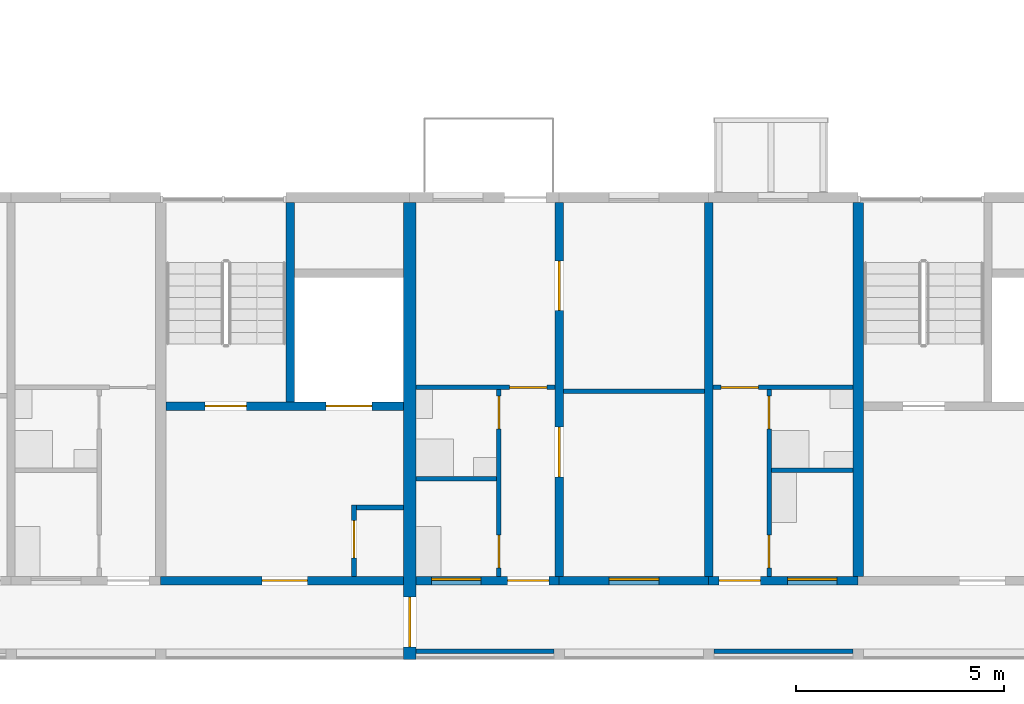
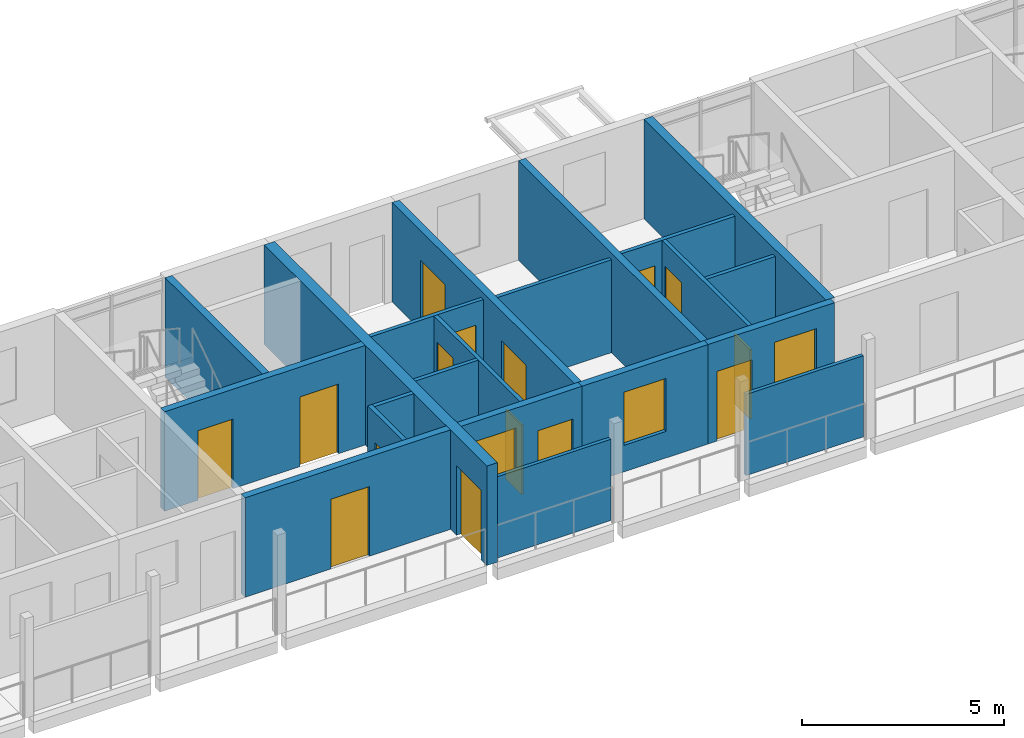
# One storey, part 36 of 78: 21 walls, 15 doors, 3 windows, 18 openings.
"""IFC4 building model written with IfcOpenShell, lengths in metres."""

from ifc_helpers import new_model, si_unit, direction, frame, frame_2d, origin, place, context, subcontext, project, spatial, rectangle, extrude, material, layer, layer_set, type_object, element, fill, save


model = new_model("IFC4")

# Units and contexts
model_context = context("Model", 3, precision=1e-05, world=origin(), true_north=direction((0.0, 1.0)))
body_context = subcontext(model_context, "Body", "Model", "MODEL_VIEW")
ifc_project = project(units=[si_unit("LENGTHUNIT", "METRE"), si_unit("AREAUNIT", "SQUARE_METRE"), si_unit("VOLUMEUNIT", "CUBIC_METRE"), si_unit("PLANEANGLEUNIT", "RADIAN"), si_unit("MASSUNIT", "GRAM", prefix="KILO")], contexts=[model_context])

# Site, building, storey
site_placement = place(None, origin())
site = spatial("IfcSite", under=ifc_project, at=site_placement, CompositionType="ELEMENT")
building_placement = place(site_placement, origin())
building = spatial("IfcBuilding", under=site, at=building_placement, Name="Ridgestep Commons", CompositionType="ELEMENT")
storey_placement = place(building_placement, frame((0.0, 0.0, 30.0)))
storey = spatial("IfcBuildingStorey", under=building, at=storey_placement, Name="L10", CompositionType="ELEMENT", Elevation=30.0)

# Wall
ifc_material_1 = material(Name="Concrete C30/37", Category="concrete")
ifc_layer_1 = layer(ifc_material_1, 0.25)
ifc_layer_set_1 = layer_set([ifc_layer_1], Name="Core cross wall 250")
wall_type_1 = type_object("IfcWallType", Name="Core cross wall 250", PredefinedType="SHEAR", material=ifc_layer_set_1)
wall_1_placement = place(storey_placement, frame((90.0, 13.75, 0.0), z_axis=(0.0, 0.0, 1.0), x_axis=(0.0, 1.0, 0.0)))
element("IfcWall", 1, at=wall_1_placement, inside=storey, type_object=wall_type_1, Name="Cross wall A-10-0900", PredefinedType="SHEAR", context=body_context, shape_type="SweptSolid", body=[
    extrude(rectangle(XDim=9.0, YDim=0.25, at=frame_2d((4.5, 0.0))), origin(), (0.0, 0.0, 1.0), 3.0),
])

# Wall, opening, door
ifc_material_2 = material(Name="Concrete C30/37", Category="concrete")
ifc_layer_2 = layer(ifc_material_2, 0.199951171875)
ifc_layer_set_2 = layer_set([ifc_layer_2], Name="Core south wall 200")
wall_type_2 = type_object("IfcWallType", Name="Core south wall 200", PredefinedType="SHEAR", material=ifc_layer_set_2)
wall_2_placement = place(storey_placement, frame((73.199951171875, 13.64990234375, 0.0), z_axis=(0.0, 0.0, 1.0), x_axis=(1.0, 0.0, 0.0)))
wall_2 = element("IfcWall", 2, at=wall_2_placement, inside=storey, type_object=wall_type_2, Name="Core south wall A4C L10", PredefinedType="SHEAR", context=body_context, shape_type="SweptSolid", body=[
    extrude(rectangle(XDim=5.85009765625, YDim=0.199951171875, at=frame_2d((2.925048828125, 0.0))), origin(), (0.0, 0.0, 1.0), 3.0),
])
opening_1_placement = place(wall_2_placement, frame((2.4375, 0.0, 0.0)))
opening_1 = element("IfcOpeningElement", 3, at=opening_1_placement, cuts=wall_2, Name="Opening A4C/10/1", PredefinedType="OPENING", context=body_context, shape_type="SweptSolid", body=[
    extrude(rectangle(XDim=1.10009765625, YDim=2.10009765625, at=frame_2d((0.550048828125, 1.050048828125))), frame((0.0, 0.10986328125, 0.0), z_axis=(0.0, -1.0, 0.0), x_axis=(1.0, 0.0, 0.0)), (0.0, 0.0, 1.0), 0.219970703125),
])
ifc_material_3 = material(Name="Steel fire door", Category="steel")
door_type_1 = type_object("IfcDoorType", Name="Lobby door 1100 x 2100 FD60", OperationType="NOTDEFINED", PredefinedType="DOOR", material=ifc_material_3)
door_1_placement = place(opening_1_placement, origin())
door_1 = element("IfcDoor", 4, at=door_1_placement, inside=storey, type_object=door_type_1, Name="Lobby door A4C/10/1", OperationType="SINGLE_SWING_LEFT", OverallHeight=2.10009765625, OverallWidth=1.10009765625, PredefinedType="DOOR", context=body_context, shape_type="SweptSolid", body=[
    extrude(rectangle(XDim=1.10009765625, YDim=2.10009765625, at=frame_2d((0.550048828125, 1.050048828125))), frame((0.0, 0.02490234375, 0.0), z_axis=(0.0, -1.0, 0.0), x_axis=(1.0, 0.0, 0.0)), (0.0, 0.0, 1.0), 0.050048828125),
])
fill(opening_1, door_1)

ifc_material_4 = material(Name="Concrete C30/37", Category="concrete")
ifc_layer_3 = layer(ifc_material_4, 0.1201171875)
ifc_layer_set_3 = layer_set([ifc_layer_3], Name="Core wall 120")
wall_type_3 = type_object("IfcWallType", Name="Core wall 120", PredefinedType="SHEAR", material=ifc_layer_set_3)
wall_3_placement = place(storey_placement, frame((77.860107421875, 13.75, 0.0), z_axis=(0.0, 0.0, 1.0), x_axis=(0.0, 1.0, 0.0)))
wall_3 = element("IfcWall", 5, at=wall_3_placement, inside=storey, type_object=wall_type_3, Name="Core riser w wall A4C L10", PredefinedType="SHEAR", context=body_context, shape_type="SweptSolid", body=[
    extrude(rectangle(XDim=1.719970703125, YDim=0.1201171875, at=frame_2d((0.85986328125, 0.0))), origin(), (0.0, 0.0, 1.0), 3.0),
])
opening_2_placement = place(wall_3_placement, frame((0.449951171875, 0.0, 0.0)))
opening_2 = element("IfcOpeningElement", 6, at=opening_2_placement, cuts=wall_3, Name="Opening A4C/10/4", PredefinedType="OPENING", context=body_context, shape_type="SweptSolid", body=[
    extrude(rectangle(XDim=0.89990234375, YDim=2.10009765625, at=frame_2d((0.449951171875, 1.050048828125))), frame((0.0, 0.070068359375, 0.0), z_axis=(0.0, -1.0, 0.0), x_axis=(1.0, 0.0, 0.0)), (0.0, 0.0, 1.0), 0.14013671875),
])
ifc_material_5 = material(Name="Steel fire door", Category="steel")
door_type_2 = type_object("IfcDoorType", Name="Riser door 900 x 2100 FD60", OperationType="NOTDEFINED", PredefinedType="DOOR", material=ifc_material_5)
door_2_placement = place(opening_2_placement, origin())
door_2 = element("IfcDoor", 7, at=door_2_placement, inside=storey, type_object=door_type_2, Name="Riser door A4C/10/4", OperationType="SINGLE_SWING_LEFT", OverallHeight=2.10009765625, OverallWidth=0.89990234375, PredefinedType="DOOR", context=body_context, shape_type="SweptSolid", body=[
    extrude(rectangle(XDim=0.89990234375, YDim=2.10009765625, at=frame_2d((0.449951171875, 1.050048828125))), frame((0.0, 0.02490234375, 0.0), z_axis=(0.0, -1.0, 0.0), x_axis=(1.0, 0.0, 0.0)), (0.0, 0.0, 1.0), 0.050048828125),
])
fill(opening_2, door_2)

# Wall
wall_4_placement = place(storey_placement, frame((77.919921875, 15.409912109375, 0.0), z_axis=(0.0, 0.0, 1.0), x_axis=(1.0, 0.0, 0.0)))
element("IfcWall", 8, at=wall_4_placement, inside=storey, type_object=wall_type_3, Name="Core riser n wall A4C L10", PredefinedType="SHEAR", context=body_context, shape_type="SweptSolid", body=[
    extrude(rectangle(XDim=1.130126953125, YDim=0.1201171875, at=frame_2d((0.56494140625, 0.0))), origin(), (0.0, 0.0, 1.0), 3.0),
])

# Wall, openings, doors
ifc_material_6 = material(Name="Concrete C30/37", Category="concrete")
ifc_layer_4 = layer(ifc_material_6, 0.199951171875)
ifc_layer_set_4 = layer_set([ifc_layer_4], Name="Core wall 200")
wall_type_4 = type_object("IfcWallType", Name="Core wall 200", PredefinedType="SHEAR", material=ifc_layer_set_4)
wall_5_placement = place(storey_placement, frame((73.324951171875, 17.85009765625, 0.0), z_axis=(0.0, 0.0, 1.0), x_axis=(1.0, 0.0, 0.0)))
wall_5 = element("IfcWall", 9, at=wall_5_placement, inside=storey, type_object=wall_type_4, Name="Core lobby wall A4C L10", PredefinedType="SHEAR", context=body_context, shape_type="SweptSolid", body=[
    extrude(rectangle(XDim=5.72509765625, YDim=0.199951171875, at=frame_2d((2.862548828125, 0.0))), origin(), (0.0, 0.0, 1.0), 3.0),
])
opening_3_placement = place(wall_5_placement, frame((0.949951171875, 0.0, 0.0)))
opening_3 = element("IfcOpeningElement", 10, at=opening_3_placement, cuts=wall_5, Name="Opening A4C/10/2", PredefinedType="OPENING", context=body_context, shape_type="SweptSolid", body=[
    extrude(rectangle(XDim=1.0, YDim=2.10009765625, at=frame_2d((0.5, 1.050048828125))), frame((0.0, 0.10986328125, 0.0), z_axis=(0.0, -1.0, 0.0), x_axis=(1.0, 0.0, 0.0)), (0.0, 0.0, 1.0), 0.219970703125),
])
opening_4_placement = place(wall_5_placement, frame((3.862548828125, 0.0, 0.0)))
opening_4 = element("IfcOpeningElement", 11, at=opening_4_placement, cuts=wall_5, Name="Opening A4C/10/3", PredefinedType="OPENING", context=body_context, shape_type="SweptSolid", body=[
    extrude(rectangle(XDim=1.10009765625, YDim=2.10009765625, at=frame_2d((0.550048828125, 1.050048828125))), frame((0.0, 0.10986328125, 0.0), z_axis=(0.0, -1.0, 0.0), x_axis=(1.0, 0.0, 0.0)), (0.0, 0.0, 1.0), 0.219970703125),
])
ifc_material_7 = material(Name="Stainless steel", Category="steel")
door_type_3 = type_object("IfcDoorType", Name="Lift landing door 1100 x 2100 FD60", OperationType="DOUBLE_DOOR_SLIDING", PredefinedType="DOOR", material=ifc_material_7)
door_3_placement = place(opening_4_placement, origin())
door_3 = element("IfcDoor", 12, at=door_3_placement, inside=storey, type_object=door_type_3, Name="Landing door LD A4C L10", OperationType="DOUBLE_DOOR_SLIDING", OverallHeight=2.10009765625, OverallWidth=1.10009765625, PredefinedType="DOOR", context=body_context, shape_type="SweptSolid", body=[
    extrude(rectangle(XDim=1.10009765625, YDim=2.10009765625, at=frame_2d((0.550048828125, 1.050048828125))), frame((0.0, 0.02490234375, 0.0), z_axis=(0.0, -1.0, 0.0), x_axis=(1.0, 0.0, 0.0)), (0.0, 0.0, 1.0), 0.050048828125),
])
fill(opening_4, door_3)
ifc_material_8 = material(Name="Steel fire door", Category="steel")
door_type_4 = type_object("IfcDoorType", Name="Stair door 1000 x 2100 FD60", OperationType="NOTDEFINED", PredefinedType="DOOR", material=ifc_material_8)
door_4_placement = place(opening_3_placement, origin())
door_4 = element("IfcDoor", 13, at=door_4_placement, inside=storey, type_object=door_type_4, Name="Stair door A4C/10/2", OperationType="SINGLE_SWING_RIGHT", OverallHeight=2.10009765625, OverallWidth=1.0, PredefinedType="DOOR", context=body_context, shape_type="SweptSolid", body=[
    extrude(rectangle(XDim=1.0, YDim=2.10009765625, at=frame_2d((0.5, 1.050048828125))), frame((0.0, 0.02490234375, 0.0), z_axis=(0.0, -1.0, 0.0), x_axis=(1.0, 0.0, 0.0)), (0.0, 0.0, 1.0), 0.050048828125),
])
fill(opening_3, door_4)

# Wall
wall_6_placement = place(storey_placement, frame((76.324951171875, 17.949951171875, 0.0), z_axis=(0.0, 0.0, 1.0), x_axis=(0.0, 1.0, 0.0)))
element("IfcWall", 14, at=wall_6_placement, inside=storey, type_object=wall_type_4, Name="Core stair wall A4C L10", PredefinedType="SHEAR", context=body_context, shape_type="SweptSolid", body=[
    extrude(rectangle(XDim=4.800048828125, YDim=0.199951171875, at=frame_2d((2.39990234375, 0.0))), origin(), (0.0, 0.0, 1.0), 3.0),
])

# Wall, openings, doors
ifc_material_9 = material(Name="Precast concrete C40/50", Category="concrete")
ifc_layer_5 = layer(ifc_material_9, 0.199951171875)
ifc_layer_set_5 = layer_set([ifc_layer_5], Name="Cross wall 200")
wall_type_5 = type_object("IfcWallType", Name="Cross wall 200", PredefinedType="SHEAR", material=ifc_layer_set_5)
wall_7_placement = place(storey_placement, frame((82.800048828125, 13.75, 0.0), z_axis=(0.0, 0.0, 1.0), x_axis=(0.0, 1.0, 0.0)))
wall_7 = element("IfcWall", 15, at=wall_7_placement, inside=storey, type_object=wall_type_5, Name="Cross wall A-10-0828", PredefinedType="SHEAR", context=body_context, shape_type="SweptSolid", body=[
    extrude(rectangle(XDim=9.0, YDim=0.199951171875, at=frame_2d((4.5, 0.0))), origin(), (0.0, 0.0, 1.0), 3.0),
])
opening_5_placement = place(wall_7_placement, frame((2.39990234375, 0.0, 0.0)))
opening_5 = element("IfcOpeningElement", 16, at=opening_5_placement, cuts=wall_7, Name="Opening A5-10a/5", PredefinedType="OPENING", context=body_context, shape_type="SweptSolid", body=[
    extrude(rectangle(XDim=1.199951171875, YDim=2.10009765625, at=frame_2d((0.60009765625, 1.050048828125))), frame((0.0, 0.10986328125, 0.0), z_axis=(0.0, -1.0, 0.0), x_axis=(1.0, 0.0, 0.0)), (0.0, 0.0, 1.0), 0.219970703125),
])
opening_6_placement = place(wall_7_placement, frame((6.39990234375, 0.0, 0.0)))
opening_6 = element("IfcOpeningElement", 17, at=opening_6_placement, cuts=wall_7, Name="Opening A5-10a/6", PredefinedType="OPENING", context=body_context, shape_type="SweptSolid", body=[
    extrude(rectangle(XDim=1.199951171875, YDim=2.10009765625, at=frame_2d((0.60009765625, 1.050048828125))), frame((0.0, 0.10986328125, 0.0), z_axis=(0.0, -1.0, 0.0), x_axis=(1.0, 0.0, 0.0)), (0.0, 0.0, 1.0), 0.219970703125),
])
ifc_material_10 = material(Name="Timber door leaf", Category="wood")
door_type_5 = type_object("IfcDoorType", Name="Double door 1200 x 2100", OperationType="DOUBLE_DOOR_SINGLE_SWING", PredefinedType="DOOR", material=ifc_material_10)
door_5_placement = place(opening_5_placement, origin())
door_5 = element("IfcDoor", 18, at=door_5_placement, inside=storey, type_object=door_type_5, Name="Double door A5-10a/5", OperationType="DOUBLE_DOOR_SINGLE_SWING", OverallHeight=2.10009765625, OverallWidth=1.199951171875, PredefinedType="DOOR", context=body_context, shape_type="SweptSolid", body=[
    extrude(rectangle(XDim=1.199951171875, YDim=2.10009765625, at=frame_2d((0.60009765625, 1.050048828125))), frame((0.0, 0.02490234375, 0.0), z_axis=(0.0, -1.0, 0.0), x_axis=(1.0, 0.0, 0.0)), (0.0, 0.0, 1.0), 0.050048828125),
])
fill(opening_5, door_5)
door_6_placement = place(opening_6_placement, origin())
door_6 = element("IfcDoor", 19, at=door_6_placement, inside=storey, type_object=door_type_5, Name="Double door A5-10a/6", OperationType="DOUBLE_DOOR_SINGLE_SWING", OverallHeight=2.10009765625, OverallWidth=1.199951171875, PredefinedType="DOOR", context=body_context, shape_type="SweptSolid", body=[
    extrude(rectangle(XDim=1.199951171875, YDim=2.10009765625, at=frame_2d((0.60009765625, 1.050048828125))), frame((0.0, 0.02490234375, 0.0), z_axis=(0.0, -1.0, 0.0), x_axis=(1.0, 0.0, 0.0)), (0.0, 0.0, 1.0), 0.050048828125),
])
fill(opening_6, door_6)

# Wall
wall_8_placement = place(storey_placement, frame((86.39990234375, 13.75, 0.0), z_axis=(0.0, 0.0, 1.0), x_axis=(0.0, 1.0, 0.0)))
element("IfcWall", 20, at=wall_8_placement, inside=storey, type_object=wall_type_5, Name="Cross wall A-10-0864", PredefinedType="SHEAR", context=body_context, shape_type="SweptSolid", body=[
    extrude(rectangle(XDim=9.0, YDim=0.199951171875, at=frame_2d((4.5, 0.0))), origin(), (0.0, 0.0, 1.0), 3.0),
])

# Wall, opening, door
ifc_material_11 = material(Name="Precast concrete C40/50", Category="concrete")
ifc_layer_6 = layer(ifc_material_11, 0.300048828125)
ifc_layer_set_6 = layer_set([ifc_layer_6], Name="Division wall 300")
wall_type_6 = type_object("IfcWallType", Name="Division wall 300", PredefinedType="SHEAR", material=ifc_layer_set_6)
wall_9_placement = place(storey_placement, frame((79.199951171875, 11.75, 0.0), z_axis=(0.0, 0.0, 1.0), x_axis=(0.0, 1.0, 0.0)))
wall_9 = element("IfcWall", 21, at=wall_9_placement, inside=storey, type_object=wall_type_6, Name="Cross wall A-10-0792", PredefinedType="SHEAR", context=body_context, shape_type="SweptSolid", body=[
    extrude(rectangle(XDim=11.0, YDim=0.300048828125, at=frame_2d((5.5, 0.0))), origin(), (0.0, 0.0, 1.0), 3.0),
])
opening_7_placement = place(wall_9_placement, frame((0.300048828125, 0.0, 0.0)))
opening_7 = element("IfcOpeningElement", 22, at=opening_7_placement, cuts=wall_9, Name="Opening A/10/G0792", PredefinedType="OPENING", context=body_context, shape_type="SweptSolid", body=[
    extrude(rectangle(XDim=1.199951171875, YDim=2.10009765625, at=frame_2d((0.60009765625, 1.050048828125))), frame((0.0, 0.159912109375, 0.0), z_axis=(0.0, -1.0, 0.0), x_axis=(1.0, 0.0, 0.0)), (0.0, 0.0, 1.0), 0.320068359375),
])
ifc_material_12 = material(Name="Steel fire door", Category="steel")
door_type_6 = type_object("IfcDoorType", Name="Division fire door 1200 x 2100 EI 240", OperationType="DOUBLE_DOOR_SINGLE_SWING", PredefinedType="DOOR", material=ifc_material_12)
door_7_placement = place(opening_7_placement, origin())
door_7 = element("IfcDoor", 23, at=door_7_placement, inside=storey, type_object=door_type_6, Name="Division fire door A/10/G0792", OperationType="DOUBLE_DOOR_SINGLE_SWING", OverallHeight=2.10009765625, OverallWidth=1.199951171875, PredefinedType="DOOR", context=body_context, shape_type="SweptSolid", body=[
    extrude(rectangle(XDim=1.199951171875, YDim=2.10009765625, at=frame_2d((0.60009765625, 1.050048828125))), frame((0.0, 0.02490234375, 0.0), z_axis=(0.0, -1.0, 0.0), x_axis=(1.0, 0.0, 0.0)), (0.0, 0.0, 1.0), 0.050048828125),
])
fill(opening_7, door_7)

# Wall
ifc_material_13 = material(Name="Common brick 110 mm", Category="masonry")
ifc_layer_7 = layer(ifc_material_13, 0.110107421875)
ifc_layer_set_7 = layer_set([ifc_layer_7], Name="Partition 110")
wall_type_7 = type_object("IfcWallType", Name="Partition 110", PredefinedType="PARTITIONING", material=ifc_layer_set_7)
wall_10_placement = place(storey_placement, frame((79.35009765625, 16.10498046875, 0.0), z_axis=(0.0, 0.0, 1.0), x_axis=(1.0, 0.0, 0.0)))
element("IfcWall", 24, at=wall_10_placement, inside=storey, type_object=wall_type_7, Name="Partition A5-10a", PredefinedType="PARTITIONING", context=body_context, shape_type="SweptSolid", body=[
    extrude(rectangle(XDim=1.93994140625, YDim=0.110107421875, at=frame_2d((0.969970703125, 0.0))), origin(), (0.0, 0.0, 1.0), 2.800048828125),
])

# Wall, openings, doors
wall_11_placement = place(storey_placement, frame((81.344970703125, 13.75, 0.0), z_axis=(0.0, 0.0, 1.0), x_axis=(0.0, 1.0, 0.0)))
wall_11 = element("IfcWall", 25, at=wall_11_placement, inside=storey, type_object=wall_type_7, Name="Partition A5-10a", PredefinedType="PARTITIONING", context=body_context, shape_type="SweptSolid", body=[
    extrude(rectangle(XDim=4.5, YDim=0.110107421875, at=frame_2d((2.25, 0.0))), origin(), (0.0, 0.0, 1.0), 2.800048828125),
])
opening_8_placement = place(wall_11_placement, frame((0.199951171875, 0.0, 0.0)))
opening_8 = element("IfcOpeningElement", 26, at=opening_8_placement, cuts=wall_11, Name="Opening A5-10a/2", PredefinedType="OPENING", context=body_context, shape_type="SweptSolid", body=[
    extrude(rectangle(XDim=0.800048828125, YDim=2.10009765625, at=frame_2d((0.39990234375, 1.050048828125))), frame((0.0, 0.06494140625, 0.0), z_axis=(0.0, -1.0, 0.0), x_axis=(1.0, 0.0, 0.0)), (0.0, 0.0, 1.0), 0.130126953125),
])
opening_9_placement = place(wall_11_placement, frame((3.550048828125, 0.0, 0.0)))
opening_9 = element("IfcOpeningElement", 27, at=opening_9_placement, cuts=wall_11, Name="Opening A5-10a/3", PredefinedType="OPENING", context=body_context, shape_type="SweptSolid", body=[
    extrude(rectangle(XDim=0.800048828125, YDim=2.10009765625, at=frame_2d((0.39990234375, 1.050048828125))), frame((0.0, 0.06494140625, 0.0), z_axis=(0.0, -1.0, 0.0), x_axis=(1.0, 0.0, 0.0)), (0.0, 0.0, 1.0), 0.130126953125),
])
ifc_material_14 = material(Name="Timber door leaf", Category="wood")
door_type_7 = type_object("IfcDoorType", Name="Internal door 800 x 2100", OperationType="NOTDEFINED", PredefinedType="DOOR", material=ifc_material_14)
door_8_placement = place(opening_8_placement, origin())
door_8 = element("IfcDoor", 28, at=door_8_placement, inside=storey, type_object=door_type_7, Name="Internal door A5-10a/2", OperationType="SINGLE_SWING_LEFT", OverallHeight=2.10009765625, OverallWidth=0.800048828125, PredefinedType="DOOR", context=body_context, shape_type="SweptSolid", body=[
    extrude(rectangle(XDim=0.800048828125, YDim=2.10009765625, at=frame_2d((0.39990234375, 1.050048828125))), frame((0.0, 0.02490234375, 0.0), z_axis=(0.0, -1.0, 0.0), x_axis=(1.0, 0.0, 0.0)), (0.0, 0.0, 1.0), 0.050048828125),
])
fill(opening_8, door_8)
door_9_placement = place(opening_9_placement, origin())
door_9 = element("IfcDoor", 29, at=door_9_placement, inside=storey, type_object=door_type_7, Name="Internal door A5-10a/3", OperationType="SINGLE_SWING_RIGHT", OverallHeight=2.10009765625, OverallWidth=0.800048828125, PredefinedType="DOOR", context=body_context, shape_type="SweptSolid", body=[
    extrude(rectangle(XDim=0.800048828125, YDim=2.10009765625, at=frame_2d((0.39990234375, 1.050048828125))), frame((0.0, 0.02490234375, 0.0), z_axis=(0.0, -1.0, 0.0), x_axis=(1.0, 0.0, 0.0)), (0.0, 0.0, 1.0), 0.050048828125),
])
fill(opening_9, door_9)

# Wall, opening, door
wall_12_placement = place(storey_placement, frame((79.35009765625, 18.304931640625, 0.0), z_axis=(0.0, 0.0, 1.0), x_axis=(1.0, 0.0, 0.0)))
wall_12 = element("IfcWall", 30, at=wall_12_placement, inside=storey, type_object=wall_type_7, Name="Partition A5-10a", PredefinedType="PARTITIONING", context=body_context, shape_type="SweptSolid", body=[
    extrude(rectangle(XDim=3.349853515625, YDim=0.110107421875, at=frame_2d((1.6748046875, 0.0))), origin(), (0.0, 0.0, 1.0), 2.800048828125),
])
opening_10_placement = place(wall_12_placement, frame((2.25, 0.0, 0.0)))
opening_10 = element("IfcOpeningElement", 31, at=opening_10_placement, cuts=wall_12, Name="Opening A5-10a/4", PredefinedType="OPENING", context=body_context, shape_type="SweptSolid", body=[
    extrude(rectangle(XDim=0.89990234375, YDim=2.10009765625, at=frame_2d((0.449951171875, 1.050048828125))), frame((0.0, 0.06494140625, 0.0), z_axis=(0.0, -1.0, 0.0), x_axis=(1.0, 0.0, 0.0)), (0.0, 0.0, 1.0), 0.130126953125),
])
ifc_material_15 = material(Name="Timber door leaf", Category="wood")
door_type_8 = type_object("IfcDoorType", Name="Internal door 900 x 2100", OperationType="NOTDEFINED", PredefinedType="DOOR", material=ifc_material_15)
door_10_placement = place(opening_10_placement, origin())
door_10 = element("IfcDoor", 32, at=door_10_placement, inside=storey, type_object=door_type_8, Name="Internal door A5-10a/4", OperationType="SINGLE_SWING_RIGHT", OverallHeight=2.10009765625, OverallWidth=0.89990234375, PredefinedType="DOOR", context=body_context, shape_type="SweptSolid", body=[
    extrude(rectangle(XDim=0.89990234375, YDim=2.10009765625, at=frame_2d((0.449951171875, 1.050048828125))), frame((0.0, 0.02490234375, 0.0), z_axis=(0.0, -1.0, 0.0), x_axis=(1.0, 0.0, 0.0)), (0.0, 0.0, 1.0), 0.050048828125),
])
fill(opening_10, door_10)

# Wall
wall_13_placement = place(storey_placement, frame((82.89990234375, 18.205078125, 0.0), z_axis=(0.0, 0.0, 1.0), x_axis=(1.0, 0.0, 0.0)))
element("IfcWall", 33, at=wall_13_placement, inside=storey, type_object=wall_type_7, Name="Partition A5-10a", PredefinedType="PARTITIONING", context=body_context, shape_type="SweptSolid", body=[
    extrude(rectangle(XDim=3.400146484375, YDim=0.110107421875, at=frame_2d((1.7001953125, 0.0))), origin(), (0.0, 0.0, 1.0), 2.800048828125),
])

# Wall, openings, doors
wall_14_placement = place(storey_placement, frame((87.85498046875, 13.75, 0.0), z_axis=(0.0, 0.0, 1.0), x_axis=(0.0, 1.0, 0.0)))
wall_14 = element("IfcWall", 34, at=wall_14_placement, inside=storey, type_object=wall_type_7, Name="Partition A5-10b", PredefinedType="PARTITIONING", context=body_context, shape_type="SweptSolid", body=[
    extrude(rectangle(XDim=4.5, YDim=0.110107421875, at=frame_2d((2.25, 0.0))), origin(), (0.0, 0.0, 1.0), 2.800048828125),
])
opening_11_placement = place(wall_14_placement, frame((0.199951171875, 0.0, 0.0)))
opening_11 = element("IfcOpeningElement", 35, at=opening_11_placement, cuts=wall_14, Name="Opening A5-10b/2", PredefinedType="OPENING", context=body_context, shape_type="SweptSolid", body=[
    extrude(rectangle(XDim=0.800048828125, YDim=2.10009765625, at=frame_2d((0.39990234375, 1.050048828125))), frame((0.0, 0.06494140625, 0.0), z_axis=(0.0, -1.0, 0.0), x_axis=(1.0, 0.0, 0.0)), (0.0, 0.0, 1.0), 0.130126953125),
])
opening_12_placement = place(wall_14_placement, frame((3.550048828125, 0.0, 0.0)))
opening_12 = element("IfcOpeningElement", 36, at=opening_12_placement, cuts=wall_14, Name="Opening A5-10b/3", PredefinedType="OPENING", context=body_context, shape_type="SweptSolid", body=[
    extrude(rectangle(XDim=0.800048828125, YDim=2.10009765625, at=frame_2d((0.39990234375, 1.050048828125))), frame((0.0, 0.06494140625, 0.0), z_axis=(0.0, -1.0, 0.0), x_axis=(1.0, 0.0, 0.0)), (0.0, 0.0, 1.0), 0.130126953125),
])
door_11_placement = place(opening_11_placement, origin())
door_11 = element("IfcDoor", 37, at=door_11_placement, inside=storey, type_object=door_type_7, Name="Internal door A5-10b/2", OperationType="SINGLE_SWING_RIGHT", OverallHeight=2.10009765625, OverallWidth=0.800048828125, PredefinedType="DOOR", context=body_context, shape_type="SweptSolid", body=[
    extrude(rectangle(XDim=0.800048828125, YDim=2.10009765625, at=frame_2d((0.39990234375, 1.050048828125))), frame((0.0, 0.02490234375, 0.0), z_axis=(0.0, -1.0, 0.0), x_axis=(1.0, 0.0, 0.0)), (0.0, 0.0, 1.0), 0.050048828125),
])
fill(opening_11, door_11)
door_12_placement = place(opening_12_placement, origin())
door_12 = element("IfcDoor", 38, at=door_12_placement, inside=storey, type_object=door_type_7, Name="Internal door A5-10b/3", OperationType="SINGLE_SWING_LEFT", OverallHeight=2.10009765625, OverallWidth=0.800048828125, PredefinedType="DOOR", context=body_context, shape_type="SweptSolid", body=[
    extrude(rectangle(XDim=0.800048828125, YDim=2.10009765625, at=frame_2d((0.39990234375, 1.050048828125))), frame((0.0, 0.02490234375, 0.0), z_axis=(0.0, -1.0, 0.0), x_axis=(1.0, 0.0, 0.0)), (0.0, 0.0, 1.0), 0.050048828125),
])
fill(opening_12, door_12)

# Wall
wall_15_placement = place(storey_placement, frame((87.909912109375, 16.304931640625, 0.0), z_axis=(0.0, 0.0, 1.0), x_axis=(1.0, 0.0, 0.0)))
element("IfcWall", 39, at=wall_15_placement, inside=storey, type_object=wall_type_7, Name="Partition A5-10b", PredefinedType="PARTITIONING", context=body_context, shape_type="SweptSolid", body=[
    extrude(rectangle(XDim=1.965087890625, YDim=0.110107421875, at=frame_2d((0.982421875, 0.0))), origin(), (0.0, 0.0, 1.0), 2.800048828125),
])

# Wall, opening, door
wall_16_placement = place(storey_placement, frame((86.5, 18.304931640625, 0.0), z_axis=(0.0, 0.0, 1.0), x_axis=(1.0, 0.0, 0.0)))
wall_16 = element("IfcWall", 40, at=wall_16_placement, inside=storey, type_object=wall_type_7, Name="Partition A5-10b", PredefinedType="PARTITIONING", context=body_context, shape_type="SweptSolid", body=[
    extrude(rectangle(XDim=3.375, YDim=0.110107421875, at=frame_2d((1.6875, 0.0))), origin(), (0.0, 0.0, 1.0), 2.800048828125),
])
opening_13_placement = place(wall_16_placement, frame((0.199951171875, 0.0, 0.0)))
opening_13 = element("IfcOpeningElement", 41, at=opening_13_placement, cuts=wall_16, Name="Opening A5-10b/4", PredefinedType="OPENING", context=body_context, shape_type="SweptSolid", body=[
    extrude(rectangle(XDim=0.89990234375, YDim=2.10009765625, at=frame_2d((0.449951171875, 1.050048828125))), frame((0.0, 0.06494140625, 0.0), z_axis=(0.0, -1.0, 0.0), x_axis=(1.0, 0.0, 0.0)), (0.0, 0.0, 1.0), 0.130126953125),
])
door_13_placement = place(opening_13_placement, origin())
door_13 = element("IfcDoor", 42, at=door_13_placement, inside=storey, type_object=door_type_8, Name="Internal door A5-10b/4", OperationType="SINGLE_SWING_RIGHT", OverallHeight=2.10009765625, OverallWidth=0.89990234375, PredefinedType="DOOR", context=body_context, shape_type="SweptSolid", body=[
    extrude(rectangle(XDim=0.89990234375, YDim=2.10009765625, at=frame_2d((0.449951171875, 1.050048828125))), frame((0.0, 0.02490234375, 0.0), z_axis=(0.0, -1.0, 0.0), x_axis=(1.0, 0.0, 0.0)), (0.0, 0.0, 1.0), 0.050048828125),
])
fill(opening_13, door_13)

# Walls
ifc_material_16 = material(Name="Precast concrete C30/37", Category="concrete")
ifc_layer_8 = layer(ifc_material_16, 0.10009765625)
ifc_layer_set_8 = layer_set([ifc_layer_8], Name="Perforated gallery screen 3325 x 2450 x 100")
wall_type_8 = type_object("IfcWallType", Name="Perforated gallery screen 3325 x 2450 x 100", PredefinedType="SOLIDWALL", material=ifc_layer_set_8)
wall_17_placement = place(storey_placement, frame((79.35009765625, 11.949951171875, 0.0), z_axis=(0.0, 0.0, 1.0), x_axis=(1.0, 0.0, 0.0)))
element("IfcWall", 43, at=wall_17_placement, inside=storey, type_object=wall_type_8, Name="Gallery screen A5T1 10", PredefinedType="SOLIDWALL", context=body_context, shape_type="SweptSolid", body=[
    extrude(rectangle(XDim=3.324951171875, YDim=0.10009765625, at=frame_2d((1.66259765625, 0.0))), origin(), (0.0, 0.0, 1.0), 2.449951171875),
])
ifc_material_17 = material(Name="Precast concrete C30/37", Category="concrete")
ifc_layer_9 = layer(ifc_material_17, 0.10009765625)
ifc_layer_set_9 = layer_set([ifc_layer_9], Name="Perforated gallery screen 3350 x 2450 x 100")
wall_type_9 = type_object("IfcWallType", Name="Perforated gallery screen 3350 x 2450 x 100", PredefinedType="SOLIDWALL", material=ifc_layer_set_9)
wall_18_placement = place(storey_placement, frame((86.52490234375, 11.949951171875, 0.0), z_axis=(0.0, 0.0, 1.0), x_axis=(1.0, 0.0, 0.0)))
element("IfcWall", 44, at=wall_18_placement, inside=storey, type_object=wall_type_9, Name="Gallery screen A5T3 10", PredefinedType="SOLIDWALL", context=body_context, shape_type="SweptSolid", body=[
    extrude(rectangle(XDim=3.35009765625, YDim=0.10009765625, at=frame_2d((1.675048828125, 0.0))), origin(), (0.0, 0.0, 1.0), 2.449951171875),
])

# Wall, openings, door, window
ifc_material_18 = material(Name="Precast concrete C40/50", Category="concrete")
ifc_layer_10 = layer(ifc_material_18, 0.199951171875)
ifc_layer_set_10 = layer_set([ifc_layer_10], Name="South facade panel 200")
wall_type_10 = type_object("IfcWallType", Name="South facade panel 200", PredefinedType="SOLIDWALL", material=ifc_layer_set_10)
wall_19_placement = place(storey_placement, frame((79.35009765625, 13.64990234375, 0.0), z_axis=(0.0, 0.0, 1.0), x_axis=(1.0, 0.0, 0.0)))
wall_19 = element("IfcWall", 45, at=wall_19_placement, inside=storey, type_object=wall_type_10, Name="South panel A5T1 L10", PredefinedType="SOLIDWALL", context=body_context, shape_type="SweptSolid", body=[
    extrude(rectangle(XDim=3.449951171875, YDim=0.199951171875, at=frame_2d((1.72509765625, 0.0))), origin(), (0.0, 0.0, 1.0), 3.0),
])
opening_14_placement = place(wall_19_placement, frame((0.3701171875, 0.0, 1.10009765625)))
opening_14 = element("IfcOpeningElement", 46, at=opening_14_placement, cuts=wall_19, Name="Opening W08", PredefinedType="OPENING", context=body_context, shape_type="SweptSolid", body=[
    extrude(rectangle(XDim=1.199951171875, YDim=1.300048828125, at=frame_2d((0.60009765625, 0.64990234375))), frame((0.0, 0.10986328125, 0.0), z_axis=(0.0, -1.0, 0.0), x_axis=(1.0, 0.0, 0.0)), (0.0, 0.0, 1.0), 0.219970703125),
])
opening_15_placement = place(wall_19_placement, frame((2.199951171875, 0.0, 0.0)))
opening_15 = element("IfcOpeningElement", 47, at=opening_15_placement, cuts=wall_19, Name="Opening A5-10a/1", PredefinedType="OPENING", context=body_context, shape_type="SweptSolid", body=[
    extrude(rectangle(XDim=1.0, YDim=2.10009765625, at=frame_2d((0.5, 1.050048828125))), frame((0.0, 0.10986328125, 0.0), z_axis=(0.0, -1.0, 0.0), x_axis=(1.0, 0.0, 0.0)), (0.0, 0.0, 1.0), 0.219970703125),
])
ifc_material_19 = material(Name="Timber door leaf", Category="wood")
door_type_9 = type_object("IfcDoorType", Name="Flat entrance door 1000 x 2100 FD30S", OperationType="NOTDEFINED", PredefinedType="DOOR", material=ifc_material_19)
door_14_placement = place(opening_15_placement, origin())
door_14 = element("IfcDoor", 48, at=door_14_placement, inside=storey, type_object=door_type_9, Name="Flat entrance door A5-10a/1", OperationType="SINGLE_SWING_RIGHT", OverallHeight=2.10009765625, OverallWidth=1.0, PredefinedType="DOOR", context=body_context, shape_type="SweptSolid", body=[
    extrude(rectangle(XDim=1.0, YDim=2.10009765625, at=frame_2d((0.5, 1.050048828125))), frame((0.0, 0.02490234375, 0.0), z_axis=(0.0, -1.0, 0.0), x_axis=(1.0, 0.0, 0.0)), (0.0, 0.0, 1.0), 0.050048828125),
])
fill(opening_15, door_14)
ifc_material_20 = material(Name="Aluminium 6063-T6 and glass", Category="aluminium")
window_type_1 = type_object("IfcWindowType", Name="Flat window 1200 x 1300", PartitioningType="SINGLE_PANEL", PredefinedType="WINDOW", material=ifc_material_20)
window_1_placement = place(opening_14_placement, origin())
window_1 = element("IfcWindow", 49, at=window_1_placement, inside=storey, type_object=window_type_1, Name="Window A5-10a 3", OverallHeight=1.300048828125, OverallWidth=1.199951171875, PartitioningType="SINGLE_PANEL", PredefinedType="WINDOW", context=body_context, shape_type="SweptSolid", body=[
    extrude(rectangle(XDim=1.199951171875, YDim=1.300048828125, at=frame_2d((0.60009765625, 0.64990234375))), frame((0.0, 0.06005859375, 0.0), z_axis=(0.0, -1.0, 0.0), x_axis=(1.0, 0.0, 0.0)), (0.0, 0.0, 1.0), 0.06005859375),
])
fill(opening_14, window_1)

# Wall, opening, window
wall_20_placement = place(storey_placement, frame((82.800048828125, 13.64990234375, 0.0), z_axis=(0.0, 0.0, 1.0), x_axis=(1.0, 0.0, 0.0)))
wall_20 = element("IfcWall", 50, at=wall_20_placement, inside=storey, type_object=wall_type_10, Name="South panel A5T2 L10", PredefinedType="SOLIDWALL", context=body_context, shape_type="SweptSolid", body=[
    extrude(rectangle(XDim=3.599853515625, YDim=0.199951171875, at=frame_2d((1.7998046875, 0.0))), origin(), (0.0, 0.0, 1.0), 3.0),
])
opening_16_placement = place(wall_20_placement, frame((1.199951171875, 0.0, 0.800048828125)))
opening_16 = element("IfcOpeningElement", 51, at=opening_16_placement, cuts=wall_20, Name="Opening W11", PredefinedType="OPENING", context=body_context, shape_type="SweptSolid", body=[
    extrude(rectangle(XDim=1.199951171875, YDim=1.60009765625, at=frame_2d((0.60009765625, 0.800048828125))), frame((0.0, 0.10986328125, 0.0), z_axis=(0.0, -1.0, 0.0), x_axis=(1.0, 0.0, 0.0)), (0.0, 0.0, 1.0), 0.219970703125),
])
ifc_material_21 = material(Name="Aluminium 6063-T6 and glass", Category="aluminium")
window_type_2 = type_object("IfcWindowType", Name="Flat window 1200 x 1600", PartitioningType="SINGLE_PANEL", PredefinedType="WINDOW", material=ifc_material_21)
window_2_placement = place(opening_16_placement, origin())
window_2 = element("IfcWindow", 52, at=window_2_placement, inside=storey, type_object=window_type_2, Name="Window A5-10a 1", OverallHeight=1.60009765625, OverallWidth=1.199951171875, PartitioningType="SINGLE_PANEL", PredefinedType="WINDOW", context=body_context, shape_type="SweptSolid", body=[
    extrude(rectangle(XDim=1.199951171875, YDim=1.60009765625, at=frame_2d((0.60009765625, 0.800048828125))), frame((0.0, 0.06005859375, 0.0), z_axis=(0.0, -1.0, 0.0), x_axis=(1.0, 0.0, 0.0)), (0.0, 0.0, 1.0), 0.06005859375),
])
fill(opening_16, window_2)

# Wall, openings, door, window
wall_21_placement = place(storey_placement, frame((86.39990234375, 13.64990234375, 0.0), z_axis=(0.0, 0.0, 1.0), x_axis=(1.0, 0.0, 0.0)))
wall_21 = element("IfcWall", 53, at=wall_21_placement, inside=storey, type_object=wall_type_10, Name="South panel A5T3 L10", PredefinedType="SOLIDWALL", context=body_context, shape_type="SweptSolid", body=[
    extrude(rectangle(XDim=3.60009765625, YDim=0.199951171875, at=frame_2d((1.800048828125, 0.0))), origin(), (0.0, 0.0, 1.0), 3.0),
])
opening_17_placement = place(wall_21_placement, frame((1.892578125, 0.0, 1.10009765625)))
opening_17 = element("IfcOpeningElement", 54, at=opening_17_placement, cuts=wall_21, Name="Opening W08", PredefinedType="OPENING", context=body_context, shape_type="SweptSolid", body=[
    extrude(rectangle(XDim=1.199951171875, YDim=1.300048828125, at=frame_2d((0.60009765625, 0.64990234375))), frame((0.0, 0.10986328125, 0.0), z_axis=(0.0, -1.0, 0.0), x_axis=(1.0, 0.0, 0.0)), (0.0, 0.0, 1.0), 0.219970703125),
])
opening_18_placement = place(wall_21_placement, frame((0.25, 0.0, 0.0)))
opening_18 = element("IfcOpeningElement", 55, at=opening_18_placement, cuts=wall_21, Name="Opening A5-10b/1", PredefinedType="OPENING", context=body_context, shape_type="SweptSolid", body=[
    extrude(rectangle(XDim=1.0, YDim=2.10009765625, at=frame_2d((0.5, 1.050048828125))), frame((0.0, 0.10986328125, 0.0), z_axis=(0.0, -1.0, 0.0), x_axis=(1.0, 0.0, 0.0)), (0.0, 0.0, 1.0), 0.219970703125),
])
door_15_placement = place(opening_18_placement, origin())
door_15 = element("IfcDoor", 56, at=door_15_placement, inside=storey, type_object=door_type_9, Name="Flat entrance door A5-10b/1", OperationType="SINGLE_SWING_LEFT", OverallHeight=2.10009765625, OverallWidth=1.0, PredefinedType="DOOR", context=body_context, shape_type="SweptSolid", body=[
    extrude(rectangle(XDim=1.0, YDim=2.10009765625, at=frame_2d((0.5, 1.050048828125))), frame((0.0, 0.02490234375, 0.0), z_axis=(0.0, -1.0, 0.0), x_axis=(1.0, 0.0, 0.0)), (0.0, 0.0, 1.0), 0.050048828125),
])
fill(opening_18, door_15)
window_3_placement = place(opening_17_placement, origin())
window_3 = element("IfcWindow", 57, at=window_3_placement, inside=storey, type_object=window_type_1, Name="Window A5-10b 1", OverallHeight=1.300048828125, OverallWidth=1.199951171875, PartitioningType="SINGLE_PANEL", PredefinedType="WINDOW", context=body_context, shape_type="SweptSolid", body=[
    extrude(rectangle(XDim=1.199951171875, YDim=1.300048828125, at=frame_2d((0.60009765625, 0.64990234375))), frame((0.0, 0.06005859375, 0.0), z_axis=(0.0, -1.0, 0.0), x_axis=(1.0, 0.0, 0.0)), (0.0, 0.0, 1.0), 0.06005859375),
])
fill(opening_17, window_3)

save(model, "model.ifc")
